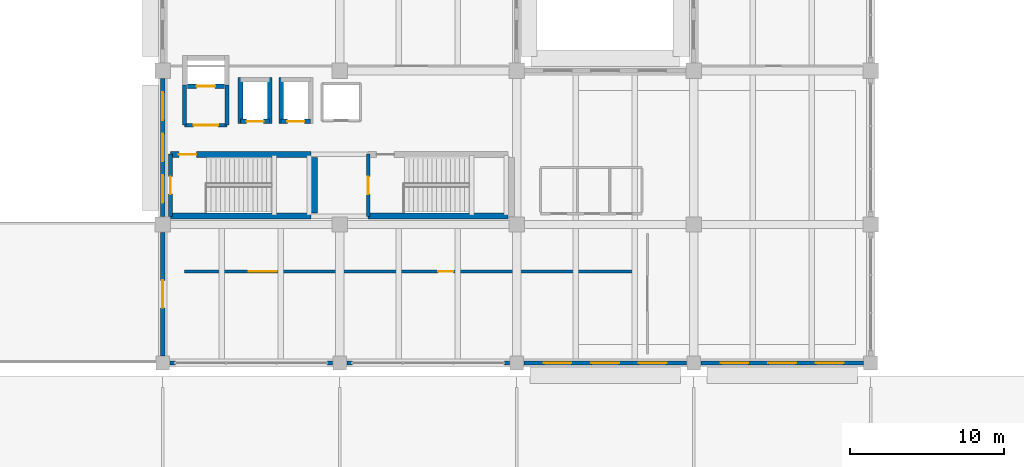
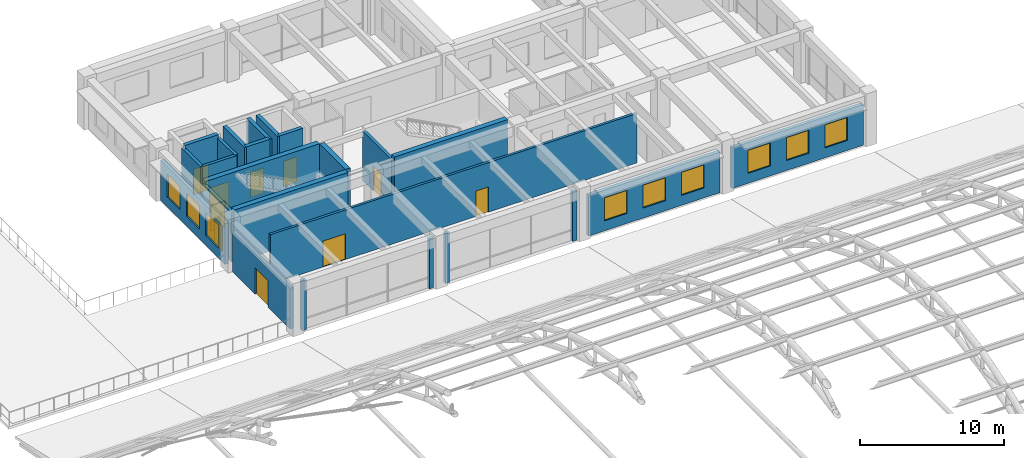
# One storey, part 137 of 154: 24 walls, 10 doors, 9 windows, 19 openings.
"""IFC4 building model written with IfcOpenShell, lengths in metres."""

from ifc_helpers import new_model, si_unit, direction, frame, frame_2d, origin, place, context, subcontext, project, spatial, rectangle, extrude, material, layer, layer_set, type_object, element, fill, save


model = new_model("IFC4")

# Units and contexts
model_context = context("Model", 3, precision=1e-05, world=origin(), true_north=direction((0.0, 1.0)))
body_context = subcontext(model_context, "Body", "Model", "MODEL_VIEW")
ifc_project = project(units=[si_unit("LENGTHUNIT", "METRE"), si_unit("AREAUNIT", "SQUARE_METRE"), si_unit("VOLUMEUNIT", "CUBIC_METRE"), si_unit("PLANEANGLEUNIT", "RADIAN"), si_unit("MASSUNIT", "GRAM", prefix="KILO")], contexts=[model_context])

# Site, building, storey
site_placement = place(None, origin())
site = spatial("IfcSite", under=ifc_project, at=site_placement, CompositionType="ELEMENT")
building_placement = place(site_placement, origin())
building = spatial("IfcBuilding", under=site, at=building_placement, Name="Ologun Quay Terminus", CompositionType="ELEMENT")
storey_placement = place(building_placement, frame((0.0, 0.0, 13.800048828125)))
storey = spatial("IfcBuildingStorey", under=building, at=storey_placement, Name="L03", CompositionType="ELEMENT", Elevation=13.800048828125)

# Wall, openings, doors
ifc_material_1 = material(Name="Concrete C40/50", Category="concrete")
ifc_layer_1 = layer(ifc_material_1, 0.199951171875)
ifc_layer_set_1 = layer_set([ifc_layer_1], Name="Concrete C40/50")
wall_type_1 = type_object("IfcWallType", Name="Corridor Fire-Rated Partition 200", PredefinedType="PARTITIONING", material=ifc_layer_set_1)
wall_1_placement = place(storey_placement, frame((24.39990234375, 91.75, 0.0), z_axis=(0.0, 0.0, 1.0), x_axis=(1.0, 0.0, 0.0)))
wall_1 = element("IfcWall", 1, at=wall_1_placement, inside=storey, type_object=wall_type_1, Name="PW-02 Partition WCor-S", PredefinedType="PARTITIONING", context=body_context, shape_type="SweptSolid", body=[
    extrude(rectangle(XDim=29.400146484375, YDim=0.199951171875, at=frame_2d((14.7001953125, 0.0))), origin(), (0.0, 0.0, 1.0), 4.219970703125),
])
opening_1_placement = place(wall_1_placement, frame((4.199951171875, 0.0, 0.0)))
opening_1 = element("IfcOpeningElement", 2, at=opening_1_placement, cuts=wall_1, Name="Opening ID-130", PredefinedType="OPENING", context=body_context, shape_type="SweptSolid", body=[
    extrude(rectangle(XDim=1.800048828125, YDim=2.199951171875, at=frame_2d((0.89990234375, 1.10009765625))), frame((0.0, 0.10986328125, 0.0), z_axis=(0.0, -1.0, 0.0), x_axis=(1.0, 0.0, 0.0)), (0.0, 0.0, 1.0), 0.219970703125),
])
opening_2_placement = place(wall_1_placement, frame((16.5, 0.0, 0.0)))
opening_2 = element("IfcOpeningElement", 3, at=opening_2_placement, cuts=wall_1, Name="Opening ID-131", PredefinedType="OPENING", context=body_context, shape_type="SweptSolid", body=[
    extrude(rectangle(XDim=0.97998046875, YDim=2.14990234375, at=frame_2d((0.489990234375, 1.074951171875))), frame((0.0, 0.10986328125, 0.0), z_axis=(0.0, -1.0, 0.0), x_axis=(1.0, 0.0, 0.0)), (0.0, 0.0, 1.0), 0.219970703125),
])
ifc_material_2 = material(Name="Steel S355", Category="steel")
door_type_1 = type_object("IfcDoorType", Name="Corridor Compartment Pair 1800x2200", OperationType="DOUBLE_DOOR_SINGLE_SWING", PredefinedType="DOOR", material=ifc_material_2)
door_1_placement = place(opening_1_placement, origin())
door_1 = element("IfcDoor", 4, at=door_1_placement, inside=storey, type_object=door_type_1, Name="FD-03 Door ID-130", OperationType="DOUBLE_DOOR_SINGLE_SWING", OverallHeight=2.199951171875, OverallWidth=1.800048828125, PredefinedType="DOOR", context=body_context, shape_type="SweptSolid", body=[
    extrude(rectangle(XDim=1.800048828125, YDim=2.199951171875, at=frame_2d((0.89990234375, 1.10009765625))), frame((0.0, 0.02490234375, 0.0), z_axis=(0.0, -1.0, 0.0), x_axis=(1.0, 0.0, 0.0)), (0.0, 0.0, 1.0), 0.050048828125),
])
fill(opening_1, door_1)
ifc_material_3 = material(Name="Timber Hardwood", Category="wood")
door_type_2 = type_object("IfcDoorType", Name="Operations Room Acoustic Leaf 980x2150", OperationType="SINGLE_SWING_LEFT", PredefinedType="DOOR", material=ifc_material_3)
door_2_placement = place(opening_2_placement, origin())
door_2 = element("IfcDoor", 5, at=door_2_placement, inside=storey, type_object=door_type_2, Name="ID-01 Door ID-131", OperationType="SINGLE_SWING_LEFT", OverallHeight=2.14990234375, OverallWidth=0.97998046875, PredefinedType="DOOR", context=body_context, shape_type="SweptSolid", body=[
    extrude(rectangle(XDim=0.97998046875, YDim=2.14990234375, at=frame_2d((0.489990234375, 1.074951171875))), frame((0.0, 0.02490234375, 0.0), z_axis=(0.0, -1.0, 0.0), x_axis=(1.0, 0.0, 0.0)), (0.0, 0.0, 1.0), 0.050048828125),
])
fill(opening_2, door_2)

# Wall
ifc_material_4 = material(Name="Concrete C40/50", Category="concrete")
ifc_layer_2 = layer(ifc_material_4, 0.39990234375)
ifc_layer_set_2 = layer_set([ifc_layer_2], Name="Concrete C40/50")
wall_type_2 = type_object("IfcWallType", Name="Coupled Wing Upper Core Shear Wall 400", PredefinedType="SHEAR", material=ifc_layer_set_2)
wall_2_placement = place(storey_placement, frame((23.5, 95.35009765625, 0.0), z_axis=(0.0, 0.0, 1.0), x_axis=(1.0, 0.0, 0.0)))
element("IfcWall", 6, at=wall_2_placement, inside=storey, type_object=wall_type_2, Name="WC1 Core South Shear Wall L03", PredefinedType="SHEAR", context=body_context, shape_type="SweptSolid", body=[
    extrude(rectangle(XDim=9.14990234375, YDim=0.39990234375, at=frame_2d((4.574951171875, 0.0))), origin(), (0.0, 0.0, 1.0), 4.5),
])

# Wall, opening, door
wall_3_placement = place(storey_placement, frame((23.5, 99.35009765625, 0.0), z_axis=(0.0, 0.0, 1.0), x_axis=(1.0, 0.0, 0.0)))
wall_3 = element("IfcWall", 7, at=wall_3_placement, inside=storey, type_object=wall_type_2, Name="WC1 Core North Shear Wall L03", PredefinedType="SHEAR", context=body_context, shape_type="SweptSolid", body=[
    extrude(rectangle(XDim=9.14990234375, YDim=0.39990234375, at=frame_2d((4.574951171875, 0.0))), origin(), (0.0, 0.0, 1.0), 4.5),
])
opening_3_placement = place(wall_3_placement, frame((0.550048828125, 0.0, 0.0)))
opening_3 = element("IfcOpeningElement", 8, at=opening_3_placement, cuts=wall_3, Name="Opening ID-122", PredefinedType="OPENING", context=body_context, shape_type="SweptSolid", body=[
    extrude(rectangle(XDim=1.1298828125, YDim=2.14990234375, at=frame_2d((0.56494140625, 1.074951171875))), frame((0.0, 0.2099609375, 0.0), z_axis=(0.0, -1.0, 0.0), x_axis=(1.0, 0.0, 0.0)), (0.0, 0.0, 1.0), 0.419921875),
])
ifc_material_5 = material(Name="Steel S355", Category="steel")
door_type_3 = type_object("IfcDoorType", Name="Stairwell Fire Escape Door 1130x2150", OperationType="SINGLE_SWING_LEFT", PredefinedType="DOOR", material=ifc_material_5)
door_3_placement = place(opening_3_placement, frame((0.56494140625, 0.0, 0.0), z_axis=(0.0, 0.0, 1.0), x_axis=(-1.0, 0.0, 0.0)))
door_3 = element("IfcDoor", 9, at=door_3_placement, inside=storey, type_object=door_type_3, Name="FD-01 Door ID-122", OperationType="SINGLE_SWING_LEFT", OverallHeight=2.14990234375, OverallWidth=1.1298828125, PredefinedType="DOOR", context=body_context, shape_type="SweptSolid", body=[
    extrude(rectangle(XDim=1.1298828125, YDim=2.14990234375, at=frame_2d((0.0, 1.074951171875))), frame((0.0, 0.02490234375, 0.0), z_axis=(0.0, -1.0, 0.0), x_axis=(1.0, 0.0, 0.0)), (0.0, 0.0, 1.0), 0.050048828125),
])
fill(opening_3, door_3)

# Walls
wall_4_placement = place(storey_placement, frame((32.85009765625, 95.550048828125, 0.0), z_axis=(0.0, 0.0, 1.0), x_axis=(0.0, 1.0, 0.0)))
element("IfcWall", 10, at=wall_4_placement, inside=storey, type_object=wall_type_2, Name="WC1 Core East Shear Wall L03", PredefinedType="SHEAR", context=body_context, shape_type="SweptSolid", body=[
    extrude(rectangle(XDim=3.599853515625, YDim=0.39990234375, at=frame_2d((1.7998046875, 0.0))), origin(), (0.0, 0.0, 1.0), 4.5),
])
wall_5_placement = place(storey_placement, frame((36.35009765625, 95.35009765625, 0.0), z_axis=(0.0, 0.0, 1.0), x_axis=(1.0, 0.0, 0.0)))
element("IfcWall", 11, at=wall_5_placement, inside=storey, type_object=wall_type_2, Name="WC2 Core South Shear Wall L03", PredefinedType="SHEAR", context=body_context, shape_type="SweptSolid", body=[
    extrude(rectangle(XDim=9.099853515625, YDim=0.39990234375, at=frame_2d((4.5498046875, 0.0))), origin(), (0.0, 0.0, 1.0), 4.5),
])
ifc_material_6 = material(Name="Concrete C40/50", Category="concrete")
ifc_layer_3 = layer(ifc_material_6, 0.280029296875)
ifc_layer_set_3 = layer_set([ifc_layer_3], Name="Concrete C40/50")
wall_type_3 = type_object("IfcWallType", Name="Courtyard Wing Spandrel Concrete Wall 280", PredefinedType="SOLIDWALL", material=ifc_layer_set_3)
for number, where, z_axis, x_axis, name in (
    (12, (23.469970703125, 85.800048828125, 0.0), (0.0, 0.0, 1.0), (1.0, 0.0, 0.0), "Curtain Wall Jamb Pier CW-L03-109-J1"),
    (13, (33.679931640625, 85.800048828125, 0.0), (0.0, 0.0, 1.0), (1.0, 0.0, 0.0), "Curtain Wall Jamb Pier CW-L03-109-J2"),
    (14, (34.969970703125, 85.800048828125, 0.0), (0.0, 0.0, 1.0), (1.0, 0.0, 0.0), "Curtain Wall Jamb Pier CW-L03-110-J1"),
    (15, (45.179931640625, 85.800048828125, 0.0), (0.0, 0.0, 1.0), (1.0, 0.0, 0.0), "Curtain Wall Jamb Pier CW-L03-110-J2"),
):
    element("IfcWall", number, at=place(storey_placement, frame(where, z_axis=z_axis, x_axis=x_axis)), inside=storey, type_object=wall_type_3, Name=name, PredefinedType="SOLIDWALL", context=body_context, shape_type="SweptSolid", body=[
        extrude(rectangle(XDim=0.35009765625, YDim=0.280029296875, at=frame_2d((0.175048828125, 0.0))), origin(), (0.0, 0.0, 1.0), 4.22998046875),
    ])

# Wall, openings, windows
wall_6_placement = place(storey_placement, frame((46.469970703125, 85.800048828125, 0.0), z_axis=(0.0, 0.0, 1.0), x_axis=(1.0, 0.0, 0.0)))
wall_6 = element("IfcWall", 16, at=wall_6_placement, inside=storey, type_object=wall_type_3, Name="EW-02 Facade Wall WEW-WW-O-L03-3", PredefinedType="SOLIDWALL", context=body_context, shape_type="SweptSolid", body=[
    extrude(rectangle(XDim=10.56005859375, YDim=0.280029296875, at=frame_2d((5.280029296875, 0.0))), origin(), (0.0, 0.0, 1.0), 3.449951171875),
])
opening_4_placement = place(wall_6_placement, frame((1.2900390625, 0.0, 0.85009765625)))
opening_4 = element("IfcOpeningElement", 17, at=opening_4_placement, cuts=wall_6, Name="Opening WN-286", PredefinedType="OPENING", context=body_context, shape_type="SweptSolid", body=[
    extrude(rectangle(XDim=1.800048828125, YDim=1.949951171875, at=frame_2d((0.89990234375, 0.97509765625))), frame((0.0, 0.14990234375, 0.0), z_axis=(0.0, -1.0, 0.0), x_axis=(1.0, 0.0, 0.0)), (0.0, 0.0, 1.0), 0.300048828125),
])
opening_5_placement = place(wall_6_placement, frame((4.3798828125, 0.0, 0.85009765625)))
opening_5 = element("IfcOpeningElement", 18, at=opening_5_placement, cuts=wall_6, Name="Opening WN-287", PredefinedType="OPENING", context=body_context, shape_type="SweptSolid", body=[
    extrude(rectangle(XDim=1.800048828125, YDim=1.949951171875, at=frame_2d((0.89990234375, 0.97509765625))), frame((0.0, 0.14990234375, 0.0), z_axis=(0.0, -1.0, 0.0), x_axis=(1.0, 0.0, 0.0)), (0.0, 0.0, 1.0), 0.300048828125),
])
opening_6_placement = place(wall_6_placement, frame((7.469970703125, 0.0, 0.85009765625)))
opening_6 = element("IfcOpeningElement", 19, at=opening_6_placement, cuts=wall_6, Name="Opening WN-288", PredefinedType="OPENING", context=body_context, shape_type="SweptSolid", body=[
    extrude(rectangle(XDim=1.800048828125, YDim=1.949951171875, at=frame_2d((0.89990234375, 0.97509765625))), frame((0.0, 0.14990234375, 0.0), z_axis=(0.0, -1.0, 0.0), x_axis=(1.0, 0.0, 0.0)), (0.0, 0.0, 1.0), 0.300048828125),
])
ifc_material_7 = material(Name="Glass", Category="glass")
window_type = type_object("IfcWindowType", Name="Waterfront Pavilion Module Window 1800x1950", PartitioningType="SINGLE_PANEL", PredefinedType="WINDOW", material=ifc_material_7)
window_1_placement = place(opening_4_placement, origin())
window_1 = element("IfcWindow", 20, at=window_1_placement, inside=storey, type_object=window_type, Name="W-11 Window WN-286", OverallHeight=1.949951171875, OverallWidth=1.800048828125, PartitioningType="SINGLE_PANEL", PredefinedType="WINDOW", context=body_context, shape_type="SweptSolid", body=[
    extrude(rectangle(XDim=1.800048828125, YDim=1.949951171875, at=frame_2d((0.89990234375, 0.97509765625))), frame((0.0, 0.030029296875, 0.0), z_axis=(0.0, -1.0, 0.0), x_axis=(1.0, 0.0, 0.0)), (0.0, 0.0, 1.0), 0.06005859375),
])
fill(opening_4, window_1)
window_2_placement = place(opening_5_placement, origin())
window_2 = element("IfcWindow", 21, at=window_2_placement, inside=storey, type_object=window_type, Name="W-11 Window WN-287", OverallHeight=1.949951171875, OverallWidth=1.800048828125, PartitioningType="SINGLE_PANEL", PredefinedType="WINDOW", context=body_context, shape_type="SweptSolid", body=[
    extrude(rectangle(XDim=1.800048828125, YDim=1.949951171875, at=frame_2d((0.89990234375, 0.97509765625))), frame((0.0, 0.030029296875, 0.0), z_axis=(0.0, -1.0, 0.0), x_axis=(1.0, 0.0, 0.0)), (0.0, 0.0, 1.0), 0.06005859375),
])
fill(opening_5, window_2)
window_3_placement = place(opening_6_placement, origin())
window_3 = element("IfcWindow", 22, at=window_3_placement, inside=storey, type_object=window_type, Name="W-11 Window WN-288", OverallHeight=1.949951171875, OverallWidth=1.800048828125, PartitioningType="SINGLE_PANEL", PredefinedType="WINDOW", context=body_context, shape_type="SweptSolid", body=[
    extrude(rectangle(XDim=1.800048828125, YDim=1.949951171875, at=frame_2d((0.89990234375, 0.97509765625))), frame((0.0, 0.030029296875, 0.0), z_axis=(0.0, -1.0, 0.0), x_axis=(1.0, 0.0, 0.0)), (0.0, 0.0, 1.0), 0.06005859375),
])
fill(opening_6, window_3)

wall_7_placement = place(storey_placement, frame((57.969970703125, 85.800048828125, 0.0), z_axis=(0.0, 0.0, 1.0), x_axis=(1.0, 0.0, 0.0)))
wall_7 = element("IfcWall", 23, at=wall_7_placement, inside=storey, type_object=wall_type_3, Name="EW-02 Facade Wall WEW-WW-O-L03-4", PredefinedType="SOLIDWALL", context=body_context, shape_type="SweptSolid", body=[
    extrude(rectangle(XDim=10.56005859375, YDim=0.280029296875, at=frame_2d((5.280029296875, 0.0))), origin(), (0.0, 0.0, 1.0), 3.449951171875),
])
opening_7_placement = place(wall_7_placement, frame((1.2900390625, 0.0, 0.85009765625)))
opening_7 = element("IfcOpeningElement", 24, at=opening_7_placement, cuts=wall_7, Name="Opening WN-289", PredefinedType="OPENING", context=body_context, shape_type="SweptSolid", body=[
    extrude(rectangle(XDim=1.800048828125, YDim=1.949951171875, at=frame_2d((0.89990234375, 0.97509765625))), frame((0.0, 0.14990234375, 0.0), z_axis=(0.0, -1.0, 0.0), x_axis=(1.0, 0.0, 0.0)), (0.0, 0.0, 1.0), 0.300048828125),
])
opening_8_placement = place(wall_7_placement, frame((4.3798828125, 0.0, 0.85009765625)))
opening_8 = element("IfcOpeningElement", 25, at=opening_8_placement, cuts=wall_7, Name="Opening WN-290", PredefinedType="OPENING", context=body_context, shape_type="SweptSolid", body=[
    extrude(rectangle(XDim=1.800048828125, YDim=1.949951171875, at=frame_2d((0.89990234375, 0.97509765625))), frame((0.0, 0.14990234375, 0.0), z_axis=(0.0, -1.0, 0.0), x_axis=(1.0, 0.0, 0.0)), (0.0, 0.0, 1.0), 0.300048828125),
])
opening_9_placement = place(wall_7_placement, frame((7.469970703125, 0.0, 0.85009765625)))
opening_9 = element("IfcOpeningElement", 26, at=opening_9_placement, cuts=wall_7, Name="Opening WN-291", PredefinedType="OPENING", context=body_context, shape_type="SweptSolid", body=[
    extrude(rectangle(XDim=1.800048828125, YDim=1.949951171875, at=frame_2d((0.89990234375, 0.97509765625))), frame((0.0, 0.14990234375, 0.0), z_axis=(0.0, -1.0, 0.0), x_axis=(1.0, 0.0, 0.0)), (0.0, 0.0, 1.0), 0.300048828125),
])
window_4_placement = place(opening_7_placement, origin())
window_4 = element("IfcWindow", 27, at=window_4_placement, inside=storey, type_object=window_type, Name="W-11 Window WN-289", OverallHeight=1.949951171875, OverallWidth=1.800048828125, PartitioningType="SINGLE_PANEL", PredefinedType="WINDOW", context=body_context, shape_type="SweptSolid", body=[
    extrude(rectangle(XDim=1.800048828125, YDim=1.949951171875, at=frame_2d((0.89990234375, 0.97509765625))), frame((0.0, 0.030029296875, 0.0), z_axis=(0.0, -1.0, 0.0), x_axis=(1.0, 0.0, 0.0)), (0.0, 0.0, 1.0), 0.06005859375),
])
fill(opening_7, window_4)
window_5_placement = place(opening_8_placement, origin())
window_5 = element("IfcWindow", 28, at=window_5_placement, inside=storey, type_object=window_type, Name="W-11 Window WN-290", OverallHeight=1.949951171875, OverallWidth=1.800048828125, PartitioningType="SINGLE_PANEL", PredefinedType="WINDOW", context=body_context, shape_type="SweptSolid", body=[
    extrude(rectangle(XDim=1.800048828125, YDim=1.949951171875, at=frame_2d((0.89990234375, 0.97509765625))), frame((0.0, 0.030029296875, 0.0), z_axis=(0.0, -1.0, 0.0), x_axis=(1.0, 0.0, 0.0)), (0.0, 0.0, 1.0), 0.06005859375),
])
fill(opening_8, window_5)
window_6_placement = place(opening_9_placement, origin())
window_6 = element("IfcWindow", 29, at=window_6_placement, inside=storey, type_object=window_type, Name="W-11 Window WN-291", OverallHeight=1.949951171875, OverallWidth=1.800048828125, PartitioningType="SINGLE_PANEL", PredefinedType="WINDOW", context=body_context, shape_type="SweptSolid", body=[
    extrude(rectangle(XDim=1.800048828125, YDim=1.949951171875, at=frame_2d((0.89990234375, 0.97509765625))), frame((0.0, 0.030029296875, 0.0), z_axis=(0.0, -1.0, 0.0), x_axis=(1.0, 0.0, 0.0)), (0.0, 0.0, 1.0), 0.06005859375),
])
fill(opening_9, window_6)

# Wall, opening, door
wall_8_placement = place(storey_placement, frame((23.0, 86.27001953125, 0.0), z_axis=(0.0, 0.0, 1.0), x_axis=(0.0, 1.0, 0.0)))
wall_8 = element("IfcWall", 30, at=wall_8_placement, inside=storey, type_object=wall_type_3, Name="EW-02 Facade Wall WEW-WW-TER-L03-14", PredefinedType="SOLIDWALL", context=body_context, shape_type="SweptSolid", body=[
    extrude(rectangle(XDim=8.010009765625, YDim=0.280029296875, at=frame_2d((4.0048828125, 0.0))), origin(), (0.0, 0.0, 1.0), 3.449951171875),
])
opening_10_placement = place(wall_8_placement, frame((3.10498046875, 0.0, 0.0)))
opening_10 = element("IfcOpeningElement", 31, at=opening_10_placement, cuts=wall_8, Name="Opening ED-019", PredefinedType="OPENING", context=body_context, shape_type="SweptSolid", body=[
    extrude(rectangle(XDim=1.800048828125, YDim=2.25, at=frame_2d((0.89990234375, 1.125))), frame((0.0, 0.14990234375, 0.0), z_axis=(0.0, -1.0, 0.0), x_axis=(1.0, 0.0, 0.0)), (0.0, 0.0, 1.0), 0.300048828125),
])
ifc_material_8 = material(Name="Glass", Category="glass")
door_type_4 = type_object("IfcDoorType", Name="Walkable Terrace Glazed Access Door 1800x2250", OperationType="DOUBLE_DOOR_SINGLE_SWING", PredefinedType="DOOR", material=ifc_material_8)
door_4_placement = place(opening_10_placement, origin())
door_4 = element("IfcDoor", 32, at=door_4_placement, inside=storey, type_object=door_type_4, Name="D-05 Exterior Door ED-019", OperationType="DOUBLE_DOOR_SINGLE_SWING", OverallHeight=2.25, OverallWidth=1.800048828125, PredefinedType="DOOR", context=body_context, shape_type="SweptSolid", body=[
    extrude(rectangle(XDim=1.800048828125, YDim=2.25, at=frame_2d((0.89990234375, 1.125))), frame((0.0, 0.02490234375, 0.0), z_axis=(0.0, -1.0, 0.0), x_axis=(1.0, 0.0, 0.0)), (0.0, 0.0, 1.0), 0.050048828125),
])
fill(opening_10, door_4)

# Wall, openings, windows
wall_9_placement = place(storey_placement, frame((23.0, 95.320068359375, 0.0), z_axis=(0.0, 0.0, 1.0), x_axis=(0.0, 1.0, 0.0)))
wall_9 = element("IfcWall", 33, at=wall_9_placement, inside=storey, type_object=wall_type_3, Name="EW-02 Facade Wall WEW-WW-O-L03-15", PredefinedType="SOLIDWALL", context=body_context, shape_type="SweptSolid", body=[
    extrude(rectangle(XDim=8.9599609375, YDim=0.280029296875, at=frame_2d((4.47998046875, 0.0))), origin(), (0.0, 0.0, 1.0), 3.449951171875),
])
opening_11_placement = place(wall_9_placement, frame((0.889892578125, 0.0, 0.85009765625)))
opening_11 = element("IfcOpeningElement", 34, at=opening_11_placement, cuts=wall_9, Name="Opening WN-305", PredefinedType="OPENING", context=body_context, shape_type="SweptSolid", body=[
    extrude(rectangle(XDim=1.800048828125, YDim=1.949951171875, at=frame_2d((0.89990234375, 0.97509765625))), frame((0.0, 0.14990234375, 0.0), z_axis=(0.0, -1.0, 0.0), x_axis=(1.0, 0.0, 0.0)), (0.0, 0.0, 1.0), 0.300048828125),
])
opening_12_placement = place(wall_9_placement, frame((3.580078125, 0.0, 0.85009765625)))
opening_12 = element("IfcOpeningElement", 35, at=opening_12_placement, cuts=wall_9, Name="Opening WN-306", PredefinedType="OPENING", context=body_context, shape_type="SweptSolid", body=[
    extrude(rectangle(XDim=1.800048828125, YDim=1.949951171875, at=frame_2d((0.89990234375, 0.97509765625))), frame((0.0, 0.14990234375, 0.0), z_axis=(0.0, -1.0, 0.0), x_axis=(1.0, 0.0, 0.0)), (0.0, 0.0, 1.0), 0.300048828125),
])
opening_13_placement = place(wall_9_placement, frame((6.27001953125, 0.0, 0.85009765625)))
opening_13 = element("IfcOpeningElement", 36, at=opening_13_placement, cuts=wall_9, Name="Opening WN-307", PredefinedType="OPENING", context=body_context, shape_type="SweptSolid", body=[
    extrude(rectangle(XDim=1.800048828125, YDim=1.949951171875, at=frame_2d((0.89990234375, 0.97509765625))), frame((0.0, 0.14990234375, 0.0), z_axis=(0.0, -1.0, 0.0), x_axis=(1.0, 0.0, 0.0)), (0.0, 0.0, 1.0), 0.300048828125),
])
window_7_placement = place(opening_11_placement, origin())
window_7 = element("IfcWindow", 37, at=window_7_placement, inside=storey, type_object=window_type, Name="W-11 Window WN-305", OverallHeight=1.949951171875, OverallWidth=1.800048828125, PartitioningType="SINGLE_PANEL", PredefinedType="WINDOW", context=body_context, shape_type="SweptSolid", body=[
    extrude(rectangle(XDim=1.800048828125, YDim=1.949951171875, at=frame_2d((0.89990234375, 0.97509765625))), frame((0.0, 0.030029296875, 0.0), z_axis=(0.0, -1.0, 0.0), x_axis=(1.0, 0.0, 0.0)), (0.0, 0.0, 1.0), 0.06005859375),
])
fill(opening_11, window_7)
window_8_placement = place(opening_12_placement, origin())
window_8 = element("IfcWindow", 38, at=window_8_placement, inside=storey, type_object=window_type, Name="W-11 Window WN-306", OverallHeight=1.949951171875, OverallWidth=1.800048828125, PartitioningType="SINGLE_PANEL", PredefinedType="WINDOW", context=body_context, shape_type="SweptSolid", body=[
    extrude(rectangle(XDim=1.800048828125, YDim=1.949951171875, at=frame_2d((0.89990234375, 0.97509765625))), frame((0.0, 0.030029296875, 0.0), z_axis=(0.0, -1.0, 0.0), x_axis=(1.0, 0.0, 0.0)), (0.0, 0.0, 1.0), 0.06005859375),
])
fill(opening_12, window_8)
window_9_placement = place(opening_13_placement, origin())
window_9 = element("IfcWindow", 39, at=window_9_placement, inside=storey, type_object=window_type, Name="W-11 Window WN-307", OverallHeight=1.949951171875, OverallWidth=1.800048828125, PartitioningType="SINGLE_PANEL", PredefinedType="WINDOW", context=body_context, shape_type="SweptSolid", body=[
    extrude(rectangle(XDim=1.800048828125, YDim=1.949951171875, at=frame_2d((0.89990234375, 0.97509765625))), frame((0.0, 0.030029296875, 0.0), z_axis=(0.0, -1.0, 0.0), x_axis=(1.0, 0.0, 0.0)), (0.0, 0.0, 1.0), 0.06005859375),
])
fill(opening_13, window_9)

# Wall, opening, door
ifc_material_9 = material(Name="Concrete C40/50", Category="concrete")
ifc_layer_4 = layer(ifc_material_9, 0.239990234375)
ifc_layer_set_4 = layer_set([ifc_layer_4], Name="Concrete C40/50")
wall_type_4 = type_object("IfcWallType", Name="Fire Compartment Blockwork Wall 240", PredefinedType="SOLIDWALL", material=ifc_layer_set_4)
wall_10_placement = place(storey_placement, frame((23.5, 95.330078125, 0.0), z_axis=(0.0, 0.0, 1.0), x_axis=(0.0, 1.0, 0.0)))
wall_10 = element("IfcWall", 40, at=wall_10_placement, inside=storey, type_object=wall_type_4, Name="PW-01 Partition WStair1-W", PredefinedType="SOLIDWALL", context=body_context, shape_type="SweptSolid", body=[
    extrude(rectangle(XDim=4.0400390625, YDim=0.239990234375, at=frame_2d((2.02001953125, 0.0))), origin(), (0.0, 0.0, 1.0), 4.219970703125),
])
opening_14_placement = place(wall_10_placement, frame((1.449951171875, 0.0, 0.0)))
opening_14 = element("IfcOpeningElement", 41, at=opening_14_placement, cuts=wall_10, Name="Opening ID-121", PredefinedType="OPENING", context=body_context, shape_type="SweptSolid", body=[
    extrude(rectangle(XDim=1.1298828125, YDim=2.14990234375, at=frame_2d((0.56494140625, 1.074951171875))), frame((0.0, 0.1298828125, 0.0), z_axis=(0.0, -1.0, 0.0), x_axis=(1.0, 0.0, 0.0)), (0.0, 0.0, 1.0), 0.260009765625),
])
door_5_placement = place(opening_14_placement, frame((0.56494140625, 0.0, 0.0), z_axis=(0.0, 0.0, 1.0), x_axis=(-1.0, 0.0, 0.0)))
door_5 = element("IfcDoor", 42, at=door_5_placement, inside=storey, type_object=door_type_3, Name="FD-01 Door ID-121", OperationType="SINGLE_SWING_LEFT", OverallHeight=2.14990234375, OverallWidth=1.1298828125, PredefinedType="DOOR", context=body_context, shape_type="SweptSolid", body=[
    extrude(rectangle(XDim=1.1298828125, YDim=2.14990234375, at=frame_2d((0.0, 1.074951171875))), frame((0.0, 0.02490234375, 0.0), z_axis=(0.0, -1.0, 0.0), x_axis=(1.0, 0.0, 0.0)), (0.0, 0.0, 1.0), 0.050048828125),
])
fill(opening_14, door_5)

wall_11_placement = place(storey_placement, frame((36.35009765625, 95.330078125, 0.0), z_axis=(0.0, 0.0, 1.0), x_axis=(0.0, 1.0, 0.0)))
wall_11 = element("IfcWall", 43, at=wall_11_placement, inside=storey, type_object=wall_type_4, Name="PW-01 Partition WStair2-W", PredefinedType="SOLIDWALL", context=body_context, shape_type="SweptSolid", body=[
    extrude(rectangle(XDim=4.0400390625, YDim=0.239990234375, at=frame_2d((2.02001953125, 0.0))), origin(), (0.0, 0.0, 1.0), 4.219970703125),
])
opening_15_placement = place(wall_11_placement, frame((1.449951171875, 0.0, 0.0)))
opening_15 = element("IfcOpeningElement", 44, at=opening_15_placement, cuts=wall_11, Name="Opening ID-123", PredefinedType="OPENING", context=body_context, shape_type="SweptSolid", body=[
    extrude(rectangle(XDim=1.1298828125, YDim=2.14990234375, at=frame_2d((0.56494140625, 1.074951171875))), frame((0.0, 0.1298828125, 0.0), z_axis=(0.0, -1.0, 0.0), x_axis=(1.0, 0.0, 0.0)), (0.0, 0.0, 1.0), 0.260009765625),
])
door_6_placement = place(opening_15_placement, frame((0.56494140625, 0.0, 0.0), z_axis=(0.0, 0.0, 1.0), x_axis=(-1.0, 0.0, 0.0)))
door_6 = element("IfcDoor", 45, at=door_6_placement, inside=storey, type_object=door_type_3, Name="FD-01 Door ID-123", OperationType="SINGLE_SWING_LEFT", OverallHeight=2.14990234375, OverallWidth=1.1298828125, PredefinedType="DOOR", context=body_context, shape_type="SweptSolid", body=[
    extrude(rectangle(XDim=1.1298828125, YDim=2.14990234375, at=frame_2d((0.0, 1.074951171875))), frame((0.0, 0.02490234375, 0.0), z_axis=(0.0, -1.0, 0.0), x_axis=(1.0, 0.0, 0.0)), (0.0, 0.0, 1.0), 0.050048828125),
])
fill(opening_15, door_6)

wall_12_placement = place(storey_placement, frame((24.419921875, 101.25, 0.0), z_axis=(0.0, 0.0, 1.0), x_axis=(1.0, 0.0, 0.0)))
wall_12 = element("IfcWall", 46, at=wall_12_placement, inside=storey, type_object=wall_type_4, Name="PW-01 Partition WFFL-S", PredefinedType="SOLIDWALL", context=body_context, shape_type="SweptSolid", body=[
    extrude(rectangle(XDim=2.760009765625, YDim=0.239990234375, at=frame_2d((1.3798828125, 0.0))), origin(), (0.0, 0.0, 1.0), 4.219970703125),
])
opening_16_placement = place(wall_12_placement, frame((0.580078125, 0.0, 0.0)))
opening_16 = element("IfcOpeningElement", 47, at=opening_16_placement, cuts=wall_12, Name="Opening ID-125", PredefinedType="OPENING", context=body_context, shape_type="SweptSolid", body=[
    extrude(rectangle(XDim=1.60009765625, YDim=2.14990234375, at=frame_2d((0.800048828125, 1.074951171875))), frame((0.0, 0.1298828125, 0.0), z_axis=(0.0, -1.0, 0.0), x_axis=(1.0, 0.0, 0.0)), (0.0, 0.0, 1.0), 0.260009765625),
])
ifc_material_10 = material(Name="Steel S355", Category="steel")
door_type_5 = type_object("IfcDoorType", Name="Firefighting Lobby Double Smoke Door 1600x2150", OperationType="DOUBLE_DOOR_SINGLE_SWING", PredefinedType="DOOR", material=ifc_material_10)
door_7_placement = place(opening_16_placement, origin())
door_7 = element("IfcDoor", 48, at=door_7_placement, inside=storey, type_object=door_type_5, Name="FD-02 Door ID-125", OperationType="DOUBLE_DOOR_SINGLE_SWING", OverallHeight=2.14990234375, OverallWidth=1.60009765625, PredefinedType="DOOR", context=body_context, shape_type="SweptSolid", body=[
    extrude(rectangle(XDim=1.60009765625, YDim=2.14990234375, at=frame_2d((0.800048828125, 1.074951171875))), frame((0.0, 0.02490234375, 0.0), z_axis=(0.0, -1.0, 0.0), x_axis=(1.0, 0.0, 0.0)), (0.0, 0.0, 1.0), 0.050048828125),
])
fill(opening_16, door_7)

# Walls
for number, where, z_axis, x_axis, name in (
    (49, (24.419921875, 101.25, 0.0), (0.0, 0.0, 1.0), (0.0, 1.0, 0.0), "PW-01 Partition WFFL-W"),
    (50, (27.179931640625, 101.25, 0.0), (0.0, 0.0, 1.0), (0.0, 1.0, 0.0), "PW-01 Partition WFFL-E"),
):
    element("IfcWall", number, at=place(storey_placement, frame(where, z_axis=z_axis, x_axis=x_axis)), inside=storey, type_object=wall_type_4, Name=name, PredefinedType="SOLIDWALL", context=body_context, shape_type="SweptSolid", body=[
        extrude(rectangle(XDim=2.60009765625, YDim=0.239990234375, at=frame_2d((1.300048828125, 0.0))), origin(), (0.0, 0.0, 1.0), 4.219970703125),
    ])

# Wall, opening, door
ifc_material_11 = material(Name="Concrete C40/50", Category="concrete")
ifc_layer_5 = layer(ifc_material_11, 0.300048828125)
ifc_layer_set_5 = layer_set([ifc_layer_5], Name="Concrete C40/50")
wall_type_5 = type_object("IfcWallType", Name="Lift Shaft Structural Shear Wall 300", PredefinedType="SHEAR", material=ifc_layer_set_5)
wall_13_placement = place(storey_placement, frame((24.449951171875, 103.780029296875, 0.0), z_axis=(0.0, 0.0, 1.0), x_axis=(1.0, 0.0, 0.0)))
wall_13 = element("IfcWall", 51, at=wall_13_placement, inside=storey, type_object=wall_type_5, Name="Lift FFL-01 Shaft Wall S L03", PredefinedType="SHEAR", context=body_context, shape_type="SweptSolid", body=[
    extrude(rectangle(XDim=2.699951171875, YDim=0.300048828125, at=frame_2d((1.35009765625, 0.0))), origin(), (0.0, 0.0, 1.0), 4.5),
])
opening_17_placement = place(wall_13_placement, frame((0.75, 0.0, 0.0)))
opening_17 = element("IfcOpeningElement", 52, at=opening_17_placement, cuts=wall_13, Name="Opening ID-006", PredefinedType="OPENING", context=body_context, shape_type="SweptSolid", body=[
    extrude(rectangle(XDim=1.199951171875, YDim=2.14990234375, at=frame_2d((0.60009765625, 1.074951171875))), frame((0.0, 0.16015625, 0.0), z_axis=(0.0, -1.0, 0.0), x_axis=(1.0, 0.0, 0.0)), (0.0, 0.0, 1.0), 0.320068359375),
])
ifc_material_12 = material(Name="Steel S355", Category="steel")
door_type_6 = type_object("IfcDoorType", Name="Firefighting Lift Landing Sliding Door 1200x2150", OperationType="SLIDING_TO_RIGHT", PredefinedType="DOOR", material=ifc_material_12)
door_8_placement = place(opening_17_placement, origin())
door_8 = element("IfcDoor", 53, at=door_8_placement, inside=storey, type_object=door_type_6, Name="LD-02 Door ID-006", OperationType="SLIDING_TO_RIGHT", OverallHeight=2.14990234375, OverallWidth=1.199951171875, PredefinedType="DOOR", context=body_context, shape_type="SweptSolid", body=[
    extrude(rectangle(XDim=1.199951171875, YDim=2.14990234375, at=frame_2d((0.60009765625, 1.074951171875))), frame((0.0, 0.02490234375, 0.0), z_axis=(0.0, -1.0, 0.0), x_axis=(1.0, 0.0, 0.0)), (0.0, 0.0, 1.0), 0.050048828125),
])
fill(opening_17, door_8)

wall_14_placement = place(storey_placement, frame((28.050048828125, 101.5, 0.0), z_axis=(0.0, 0.0, 1.0), x_axis=(1.0, 0.0, 0.0)))
wall_14 = element("IfcWall", 54, at=wall_14_placement, inside=storey, type_object=wall_type_5, Name="Lift PL-W1 Shaft Wall S L03", PredefinedType="SHEAR", context=body_context, shape_type="SweptSolid", body=[
    extrude(rectangle(XDim=1.89990234375, YDim=0.300048828125, at=frame_2d((0.949951171875, 0.0))), origin(), (0.0, 0.0, 1.0), 4.5),
])
opening_18_placement = place(wall_14_placement, frame((0.39990234375, 0.0, 0.0)))
opening_18 = element("IfcOpeningElement", 55, at=opening_18_placement, cuts=wall_14, Name="Opening ID-021", PredefinedType="OPENING", context=body_context, shape_type="SweptSolid", body=[
    extrude(rectangle(XDim=1.10009765625, YDim=2.14990234375, at=frame_2d((0.550048828125, 1.074951171875))), frame((0.0, 0.16015625, 0.0), z_axis=(0.0, -1.0, 0.0), x_axis=(1.0, 0.0, 0.0)), (0.0, 0.0, 1.0), 0.320068359375),
])
ifc_material_13 = material(Name="Steel S355", Category="steel")
door_type_7 = type_object("IfcDoorType", Name="Lift Landing Sliding Door 1100x2150", OperationType="SLIDING_TO_LEFT", PredefinedType="DOOR", material=ifc_material_13)
door_9_placement = place(opening_18_placement, origin())
door_9 = element("IfcDoor", 56, at=door_9_placement, inside=storey, type_object=door_type_7, Name="LD-01 Door ID-021", OperationType="SLIDING_TO_LEFT", OverallHeight=2.14990234375, OverallWidth=1.10009765625, PredefinedType="DOOR", context=body_context, shape_type="SweptSolid", body=[
    extrude(rectangle(XDim=1.10009765625, YDim=2.14990234375, at=frame_2d((0.550048828125, 1.074951171875))), frame((0.0, 0.02490234375, 0.0), z_axis=(0.0, -1.0, 0.0), x_axis=(1.0, 0.0, 0.0)), (0.0, 0.0, 1.0), 0.050048828125),
])
fill(opening_18, door_9)

# Walls
for number, where, z_axis, x_axis, name in (
    (57, (28.050048828125, 101.35009765625, 0.0), (0.0, 0.0, 1.0), (0.0, 1.0, 0.0), "Lift PL-W1 Shaft Wall W L03"),
    (58, (29.949951171875, 101.35009765625, 0.0), (0.0, 0.0, 1.0), (0.0, 1.0, 0.0), "Lift PL-W1 Shaft Wall E L03"),
):
    element("IfcWall", number, at=place(storey_placement, frame(where, z_axis=z_axis, x_axis=x_axis)), inside=storey, type_object=wall_type_5, Name=name, PredefinedType="SHEAR", context=body_context, shape_type="SweptSolid", body=[
        extrude(rectangle(XDim=3.0, YDim=0.300048828125, at=frame_2d((1.5, 0.0))), origin(), (0.0, 0.0, 1.0), 4.5),
    ])

# Wall, opening, door
wall_15_placement = place(storey_placement, frame((30.699951171875, 101.5, 0.0), z_axis=(0.0, 0.0, 1.0), x_axis=(1.0, 0.0, 0.0)))
wall_15 = element("IfcWall", 59, at=wall_15_placement, inside=storey, type_object=wall_type_5, Name="Lift PL-W2 Shaft Wall S L03", PredefinedType="SHEAR", context=body_context, shape_type="SweptSolid", body=[
    extrude(rectangle(XDim=1.900146484375, YDim=0.300048828125, at=frame_2d((0.9501953125, 0.0))), origin(), (0.0, 0.0, 1.0), 4.5),
])
opening_19_placement = place(wall_15_placement, frame((0.39990234375, 0.0, 0.0)))
opening_19 = element("IfcOpeningElement", 60, at=opening_19_placement, cuts=wall_15, Name="Opening ID-028", PredefinedType="OPENING", context=body_context, shape_type="SweptSolid", body=[
    extrude(rectangle(XDim=1.10009765625, YDim=2.14990234375, at=frame_2d((0.550048828125, 1.074951171875))), frame((0.0, 0.16015625, 0.0), z_axis=(0.0, -1.0, 0.0), x_axis=(1.0, 0.0, 0.0)), (0.0, 0.0, 1.0), 0.320068359375),
])
door_10_placement = place(opening_19_placement, origin())
door_10 = element("IfcDoor", 61, at=door_10_placement, inside=storey, type_object=door_type_7, Name="LD-01 Door ID-028", OperationType="SLIDING_TO_LEFT", OverallHeight=2.14990234375, OverallWidth=1.10009765625, PredefinedType="DOOR", context=body_context, shape_type="SweptSolid", body=[
    extrude(rectangle(XDim=1.10009765625, YDim=2.14990234375, at=frame_2d((0.550048828125, 1.074951171875))), frame((0.0, 0.02490234375, 0.0), z_axis=(0.0, -1.0, 0.0), x_axis=(1.0, 0.0, 0.0)), (0.0, 0.0, 1.0), 0.050048828125),
])
fill(opening_19, door_10)

# Wall
wall_16_placement = place(storey_placement, frame((30.699951171875, 101.35009765625, 0.0), z_axis=(0.0, 0.0, 1.0), x_axis=(0.0, 1.0, 0.0)))
element("IfcWall", 62, at=wall_16_placement, inside=storey, type_object=wall_type_5, Name="Lift PL-W2 Shaft Wall W L03", PredefinedType="SHEAR", context=body_context, shape_type="SweptSolid", body=[
    extrude(rectangle(XDim=3.0, YDim=0.300048828125, at=frame_2d((1.5, 0.0))), origin(), (0.0, 0.0, 1.0), 4.5),
])

save(model, "model.ifc")
